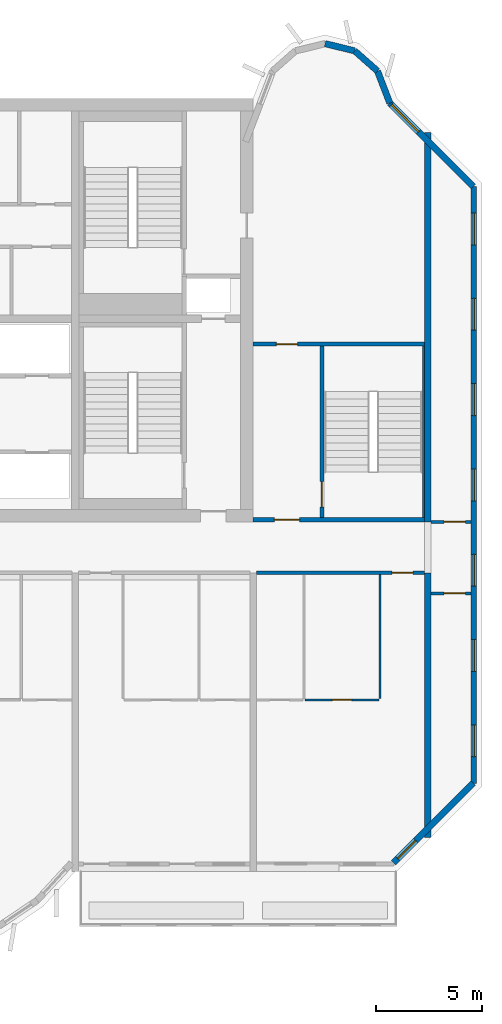
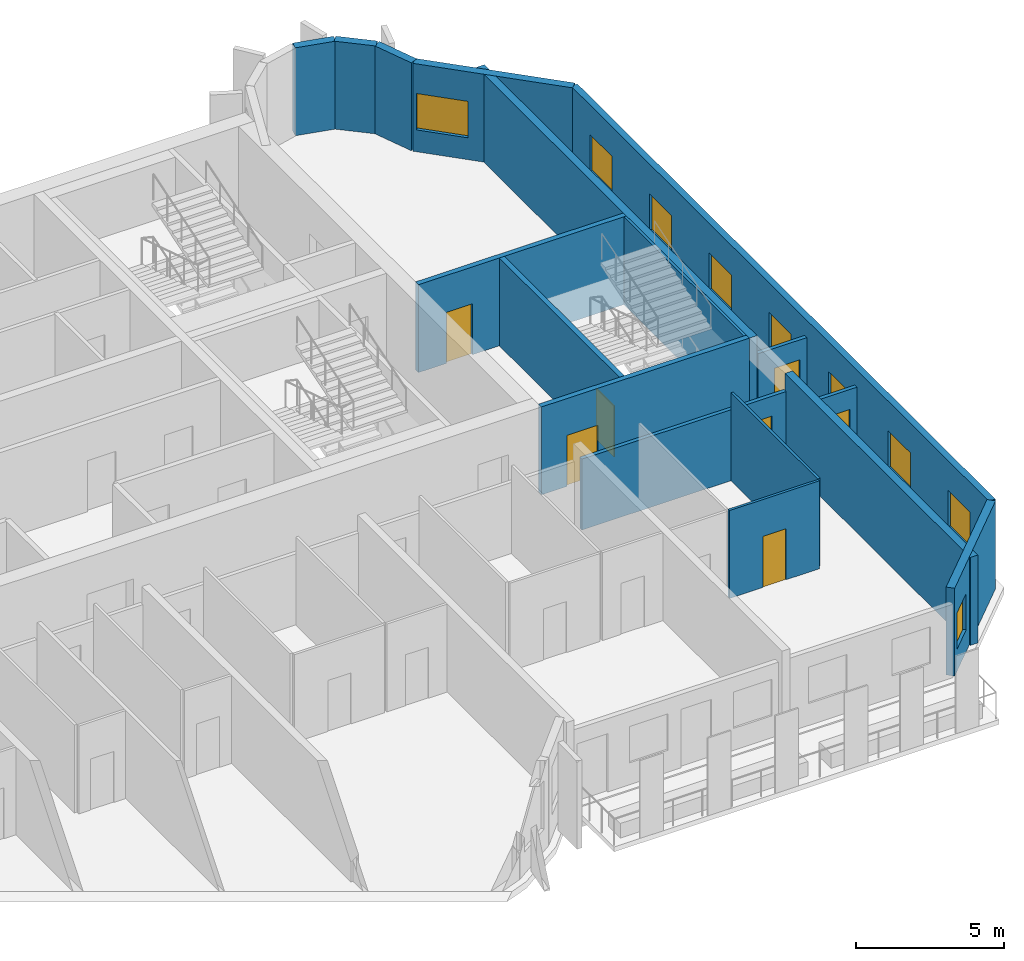
# One storey, part 8 of 11: 17 walls, 9 windows, 7 doors, 16 openings.
"""IFC4 building model written with IfcOpenShell, lengths in metres."""

from ifc_helpers import new_model, si_unit, direction, frame, frame_2d, origin, place, context, subcontext, project, spatial, rectangle, extrude, source, transform, mapped, material, layer, layer_set, type_object, element, fill, save


model = new_model("IFC4")

# Units and contexts
model_context = context("Model", 3, precision=1e-05, world=origin(), true_north=direction((0.0, 1.0)))
body_context = subcontext(model_context, "Body", "Model", "MODEL_VIEW")
ifc_project = project(units=[si_unit("LENGTHUNIT", "METRE"), si_unit("AREAUNIT", "SQUARE_METRE"), si_unit("VOLUMEUNIT", "CUBIC_METRE"), si_unit("PLANEANGLEUNIT", "RADIAN"), si_unit("MASSUNIT", "GRAM", prefix="KILO")], contexts=[model_context])

# Site, building, storey
site_placement = place(None, origin())
site = spatial("IfcSite", under=ifc_project, at=site_placement, CompositionType="ELEMENT")
building_placement = place(site_placement, origin())
building = spatial("IfcBuilding", under=site, at=building_placement, Name="Vanashikhar Sky Hotel", CompositionType="ELEMENT")
storey_placement = place(building_placement, frame((0.0, 0.0, 260.800048828125)))
storey = spatial("IfcBuildingStorey", under=building, at=storey_placement, Name="L63", CompositionType="ELEMENT", Elevation=260.800048828125)

# Walls
ifc_material_1 = material(Name="Concrete M60", Category="concrete")
ifc_layer_1 = layer(ifc_material_1, 0.300048828125)
ifc_layer_set_1 = layer_set([ifc_layer_1], Name="RC shear wall 300 Concrete M60")
wall_type_1 = type_object("IfcWallType", Name="RC shear wall 300 Concrete M60", PredefinedType="SHEAR", material=ifc_layer_set_1)
shared_shape_1 = source(origin(), body_context, "Body", "SweptSolid", [
    extrude(rectangle(XDim=12.5, YDim=0.300048828125, at=frame_2d((6.25, 0.0))), origin(), (0.0, 0.0, 1.0), 3.619873046875),
])
wall_1_placement = place(storey_placement, frame((83.85009765625, 7.10009765625, 0.0), z_axis=(0.0, 0.0, 1.0), x_axis=(0.0, 1.0, 0.0)))
element("IfcWall", 1, at=wall_1_placement, inside=storey, type_object=wall_type_1, Name="CW-L63-XW11-1", PredefinedType="SHEAR", context=body_context, shape_type="MappedRepresentation", body=[
    mapped(shared_shape_1, transform((0.0, 0.0, 0.0), scale=1.0)),
])
shared_shape_2 = source(origin(), body_context, "Body", "SweptSolid", [
    extrude(rectangle(XDim=18.39990234375, YDim=0.300048828125, at=frame_2d((9.199951171875, 0.0))), origin(), (0.0, 0.0, 1.0), 3.619873046875),
])
wall_2_placement = place(storey_placement, frame((83.85009765625, 22.0, 0.0), z_axis=(0.0, 0.0, 1.0), x_axis=(0.0, 1.0, 0.0)))
element("IfcWall", 2, at=wall_2_placement, inside=storey, type_object=wall_type_1, Name="CW-L63-XW11-2", PredefinedType="SHEAR", context=body_context, shape_type="MappedRepresentation", body=[
    mapped(shared_shape_2, transform((0.0, 0.0, 0.0), scale=1.0)),
])

# Wall, opening, window
ifc_material_2 = material(Name="Concrete M50", Category="concrete")
ifc_layer_2 = layer(ifc_material_2, 0.300048828125)
ifc_layer_set_2 = layer_set([ifc_layer_2], Name="Lobe wall 300")
wall_type_2 = type_object("IfcWallType", Name="Lobe wall 300", PredefinedType="SOLIDWALL", material=ifc_layer_set_2)
shared_shape_3 = source(origin(), body_context, "Body", "SweptSolid", [
    extrude(rectangle(XDim=5.32568359375, YDim=0.300048828125, at=frame_2d((2.662841796875, 0.0))), origin(), (0.0, 0.0, 1.0), 3.619873046875),
])
wall_3_placement = place(storey_placement, frame((82.234375, 5.89990234375, 0.0), z_axis=(0.0, 0.0, 1.0), x_axis=(0.707083859269, 0.707129702361, 0.0)))
wall_3 = element("IfcWall", 3, at=wall_3_placement, inside=storey, type_object=wall_type_2, Name="Corner wall", PredefinedType="SOLIDWALL", context=body_context, shape_type="MappedRepresentation", body=[
    mapped(shared_shape_3, transform((0.0, 0.0, 0.0), scale=1.0)),
])
shared_shape_4 = source(origin(), body_context, "Body", "SweptSolid", [
    extrude(rectangle(XDim=1.199951171875, YDim=1.5, at=frame_2d((0.60009765625, 0.75))), frame((0.0, 0.16015625, 0.0), z_axis=(0.0, -1.0, 0.0), x_axis=(1.0, 0.0, 0.0)), (0.0, 0.0, 1.0), 0.320068359375),
])
opening_1_placement = place(wall_3_placement, frame((0.29248046875, 0.0, 0.89990234375)))
opening_1 = element("IfcOpeningElement", 4, at=opening_1_placement, cuts=wall_3, Name="Opening WN-3", PredefinedType="OPENING", context=body_context, shape_type="MappedRepresentation", body=[
    mapped(shared_shape_4, transform((0.0, 0.0, 0.0), scale=1.0)),
])
ifc_material_3 = material(Name="Glass", Category="glass")
window_type_1 = type_object("IfcWindowType", Name="Corridor end window 1200 x 1500", PartitioningType="SINGLE_PANEL", PredefinedType="WINDOW", material=ifc_material_3)
shared_shape_5 = source(origin(), body_context, "Body", "SweptSolid", [
    extrude(rectangle(XDim=1.199951171875, YDim=1.5, at=frame_2d((0.60009765625, 0.75))), frame((0.0, 0.030029296875, 0.0), z_axis=(0.0, -1.0, 0.0), x_axis=(1.0, 0.0, 0.0)), (0.0, 0.0, 1.0), 0.06005859375),
])
window_1_placement = place(opening_1_placement, origin())
window_1 = element("IfcWindow", 5, at=window_1_placement, inside=storey, type_object=window_type_1, Name="Window WN-3", OverallHeight=1.5, OverallWidth=1.199951171875, PartitioningType="SINGLE_PANEL", PredefinedType="WINDOW", context=body_context, shape_type="MappedRepresentation", body=[
    mapped(shared_shape_5, transform((0.0, 0.0, 0.0), scale=1.0)),
])
fill(opening_1, window_1)

shared_shape_6 = source(origin(), body_context, "Body", "SweptSolid", [
    extrude(rectangle(XDim=5.576416015625, YDim=0.300048828125, at=frame_2d((2.7880859375, 0.0))), origin(), (0.0, 0.0, 1.0), 3.619873046875),
])
wall_4_placement = place(storey_placement, frame((86.0, 37.834228515625, 0.0), z_axis=(0.0, 0.0, 1.0), x_axis=(-0.707106781187, 0.707106781187, 0.0)))
wall_4 = element("IfcWall", 6, at=wall_4_placement, inside=storey, type_object=wall_type_2, Name="Corner wall", PredefinedType="SOLIDWALL", context=body_context, shape_type="MappedRepresentation", body=[
    mapped(shared_shape_6, transform((0.0, 0.0, 0.0), scale=1.0)),
])
shared_shape_7 = source(origin(), body_context, "Body", "SweptSolid", [
    extrude(rectangle(XDim=1.800048828125, YDim=1.5, at=frame_2d((0.89990234375, 0.75))), frame((0.0, 0.16015625, 0.0), z_axis=(0.0, -1.0, 0.0), x_axis=(1.0, 0.0, 0.0)), (0.0, 0.0, 1.0), 0.320068359375),
])
opening_2_placement = place(wall_4_placement, frame((3.658447265625, 0.0, 0.89990234375)))
opening_2 = element("IfcOpeningElement", 7, at=opening_2_placement, cuts=wall_4, Name="Opening WN-4", PredefinedType="OPENING", context=body_context, shape_type="MappedRepresentation", body=[
    mapped(shared_shape_7, transform((0.0, 0.0, 0.0), scale=1.0)),
])
window_type_2 = type_object("IfcWindowType", Name="Corner window 1800 x 1500", PartitioningType="SINGLE_PANEL", PredefinedType="WINDOW", material=ifc_material_3)
shared_shape_8 = source(origin(), body_context, "Body", "SweptSolid", [
    extrude(rectangle(XDim=1.800048828125, YDim=1.5, at=frame_2d((0.89990234375, 0.75))), frame((0.0, 0.030029296875, 0.0), z_axis=(0.0, -1.0, 0.0), x_axis=(1.0, 0.0, 0.0)), (0.0, 0.0, 1.0), 0.06005859375),
])
window_2_placement = place(opening_2_placement, origin())
window_2 = element("IfcWindow", 8, at=window_2_placement, inside=storey, type_object=window_type_2, Name="Window WN-4", OverallHeight=1.5, OverallWidth=1.800048828125, PartitioningType="SINGLE_PANEL", PredefinedType="WINDOW", context=body_context, shape_type="MappedRepresentation", body=[
    mapped(shared_shape_8, transform((0.0, 0.0, 0.0), scale=1.0)),
])
fill(opening_2, window_2)

# Walls
shared_shape_9 = source(origin(), body_context, "Body", "SweptSolid", [
    extrude(rectangle(XDim=1.438720703125, YDim=0.300048828125, at=frame_2d((0.71923828125, 0.0))), origin(), (0.0, 0.0, 1.0), 3.619873046875),
])
wall_5_placement = place(storey_placement, frame((80.397216796875, 44.2451171875, 0.0), z_axis=(0.0, 0.0, 1.0), x_axis=(-0.971161932466, 0.238420848351, 0.0)))
element("IfcWall", 9, at=wall_5_placement, inside=storey, type_object=wall_type_2, Name="Lobe wall", PredefinedType="SOLIDWALL", context=body_context, shape_type="MappedRepresentation", body=[
    mapped(shared_shape_9, transform((0.0, 0.0, 0.0), scale=1.0)),
])
shared_shape_10 = source(origin(), body_context, "Body", "SweptSolid", [
    extrude(rectangle(XDim=1.43994140625, YDim=0.300048828125, at=frame_2d((0.719970703125, 0.0))), origin(), (0.0, 0.0, 1.0), 3.619873046875),
])
wall_6_placement = place(storey_placement, frame((81.4765625, 43.2919921875, 0.0), z_axis=(0.0, 0.0, 1.0), x_axis=(-0.74957555648, 0.661918790432, 0.0)))
element("IfcWall", 10, at=wall_6_placement, inside=storey, type_object=wall_type_2, Name="Lobe wall", PredefinedType="SOLIDWALL", context=body_context, shape_type="MappedRepresentation", body=[
    mapped(shared_shape_10, transform((0.0, 0.0, 0.0), scale=1.0)),
])
shared_shape_11 = source(origin(), body_context, "Body", "SweptSolid", [
    extrude(rectangle(XDim=1.6220703125, YDim=0.300048828125, at=frame_2d((0.81103515625, 0.0))), origin(), (0.0, 0.0, 1.0), 3.619873046875),
])
wall_7_placement = place(storey_placement, frame((82.056884765625, 41.77734375, 0.0), z_axis=(0.0, 0.0, 1.0), x_axis=(-0.357778527068, 0.933806471154, 0.0)))
element("IfcWall", 11, at=wall_7_placement, inside=storey, type_object=wall_type_2, Name="Lobe wall", PredefinedType="SOLIDWALL", context=body_context, shape_type="MappedRepresentation", body=[
    mapped(shared_shape_11, transform((0.0, 0.0, 0.0), scale=1.0)),
])

# Wall, openings, windows
ifc_layer_3 = layer(ifc_material_2, 0.25)
ifc_layer_set_3 = layer_set([ifc_layer_3], Name="Rear and end board-marked wall 250")
wall_type_3 = type_object("IfcWallType", Name="Rear and end board-marked wall 250", PredefinedType="SOLIDWALL", material=ifc_layer_set_3)
shared_shape_12 = source(origin(), body_context, "Body", "SweptSolid", [
    extrude(rectangle(XDim=28.189453125, YDim=0.25, at=frame_2d((14.0947265625, 0.0))), origin(), (0.0, 0.0, 1.0), 3.619873046875),
])
wall_8_placement = place(storey_placement, frame((86.02490234375, 9.6552734375, 0.0), z_axis=(0.0, 0.0, 1.0), x_axis=(0.0, 1.0, 0.0)))
wall_8 = element("IfcWall", 12, at=wall_8_placement, inside=storey, type_object=wall_type_3, Name="End board-marked wall", PredefinedType="SOLIDWALL", context=body_context, shape_type="MappedRepresentation", body=[
    mapped(shared_shape_12, transform((0.0, 0.0, 0.0), scale=1.0)),
])
shared_shape_13 = source(origin(), body_context, "Body", "SweptSolid", [
    extrude(rectangle(XDim=1.5, YDim=1.5, at=frame_2d((0.75, 0.75))), frame((0.0, 0.135009765625, 0.0), z_axis=(0.0, -1.0, 0.0), x_axis=(1.0, 0.0, 0.0)), (0.0, 0.0, 1.0), 0.27001953125),
])
opening_3_placement = place(wall_8_placement, frame((1.263427734375, 0.0, 0.89990234375)))
opening_3 = element("IfcOpeningElement", 13, at=opening_3_placement, cuts=wall_8, Name="Opening WN-1", PredefinedType="OPENING", context=body_context, shape_type="MappedRepresentation", body=[
    mapped(shared_shape_13, transform((0.0, 0.0, 0.0), scale=1.0)),
])
opening_4_placement = place(wall_8_placement, frame((5.29052734375, 0.0, 0.89990234375)))
opening_4 = element("IfcOpeningElement", 14, at=opening_4_placement, cuts=wall_8, Name="Opening WN-1", PredefinedType="OPENING", context=body_context, shape_type="MappedRepresentation", body=[
    mapped(shared_shape_13, transform((0.0, 0.0, 0.0), scale=1.0)),
])
opening_5_placement = place(wall_8_placement, frame((9.317626953125, 0.0, 0.89990234375)))
opening_5 = element("IfcOpeningElement", 15, at=opening_5_placement, cuts=wall_8, Name="Opening WN-1", PredefinedType="OPENING", context=body_context, shape_type="MappedRepresentation", body=[
    mapped(shared_shape_13, transform((0.0, 0.0, 0.0), scale=1.0)),
])
opening_6_placement = place(wall_8_placement, frame((13.3447265625, 0.0, 0.89990234375)))
opening_6 = element("IfcOpeningElement", 16, at=opening_6_placement, cuts=wall_8, Name="Opening WN-1", PredefinedType="OPENING", context=body_context, shape_type="MappedRepresentation", body=[
    mapped(shared_shape_13, transform((0.0, 0.0, 0.0), scale=1.0)),
])
opening_7_placement = place(wall_8_placement, frame((17.371826171875, 0.0, 0.89990234375)))
opening_7 = element("IfcOpeningElement", 17, at=opening_7_placement, cuts=wall_8, Name="Opening WN-1", PredefinedType="OPENING", context=body_context, shape_type="MappedRepresentation", body=[
    mapped(shared_shape_13, transform((0.0, 0.0, 0.0), scale=1.0)),
])
opening_8_placement = place(wall_8_placement, frame((21.398681640625, 0.0, 0.89990234375)))
opening_8 = element("IfcOpeningElement", 18, at=opening_8_placement, cuts=wall_8, Name="Opening WN-1", PredefinedType="OPENING", context=body_context, shape_type="MappedRepresentation", body=[
    mapped(shared_shape_13, transform((0.0, 0.0, 0.0), scale=1.0)),
])
opening_9_placement = place(wall_8_placement, frame((25.42578125, 0.0, 0.89990234375)))
opening_9 = element("IfcOpeningElement", 19, at=opening_9_placement, cuts=wall_8, Name="Opening WN-1", PredefinedType="OPENING", context=body_context, shape_type="MappedRepresentation", body=[
    mapped(shared_shape_13, transform((0.0, 0.0, 0.0), scale=1.0)),
])
window_type_3 = type_object("IfcWindowType", Name="Window 1500 x 1500", PartitioningType="SINGLE_PANEL", PredefinedType="WINDOW", material=ifc_material_3)
shared_shape_14 = source(origin(), body_context, "Body", "SweptSolid", [
    extrude(rectangle(XDim=1.5, YDim=1.5, at=frame_2d((0.75, 0.75))), frame((0.0, 0.030029296875, 0.0), z_axis=(0.0, -1.0, 0.0), x_axis=(1.0, 0.0, 0.0)), (0.0, 0.0, 1.0), 0.06005859375),
])
window_3_placement = place(opening_3_placement, origin())
window_3 = element("IfcWindow", 20, at=window_3_placement, inside=storey, type_object=window_type_3, Name="Window WN-1", OverallHeight=1.5, OverallWidth=1.5, PartitioningType="SINGLE_PANEL", PredefinedType="WINDOW", context=body_context, shape_type="MappedRepresentation", body=[
    mapped(shared_shape_14, transform((0.0, 0.0, 0.0), scale=1.0)),
])
fill(opening_3, window_3)
window_4_placement = place(opening_4_placement, origin())
window_4 = element("IfcWindow", 21, at=window_4_placement, inside=storey, type_object=window_type_3, Name="Window WN-1", OverallHeight=1.5, OverallWidth=1.5, PartitioningType="SINGLE_PANEL", PredefinedType="WINDOW", context=body_context, shape_type="MappedRepresentation", body=[
    mapped(shared_shape_14, transform((0.0, 0.0, 0.0), scale=1.0)),
])
fill(opening_4, window_4)
window_5_placement = place(opening_5_placement, origin())
window_5 = element("IfcWindow", 22, at=window_5_placement, inside=storey, type_object=window_type_3, Name="Window WN-1", OverallHeight=1.5, OverallWidth=1.5, PartitioningType="SINGLE_PANEL", PredefinedType="WINDOW", context=body_context, shape_type="MappedRepresentation", body=[
    mapped(shared_shape_14, transform((0.0, 0.0, 0.0), scale=1.0)),
])
fill(opening_5, window_5)
window_6_placement = place(opening_6_placement, origin())
window_6 = element("IfcWindow", 23, at=window_6_placement, inside=storey, type_object=window_type_3, Name="Window WN-1", OverallHeight=1.5, OverallWidth=1.5, PartitioningType="SINGLE_PANEL", PredefinedType="WINDOW", context=body_context, shape_type="MappedRepresentation", body=[
    mapped(shared_shape_14, transform((0.0, 0.0, 0.0), scale=1.0)),
])
fill(opening_6, window_6)
window_7_placement = place(opening_7_placement, origin())
window_7 = element("IfcWindow", 24, at=window_7_placement, inside=storey, type_object=window_type_3, Name="Window WN-1", OverallHeight=1.5, OverallWidth=1.5, PartitioningType="SINGLE_PANEL", PredefinedType="WINDOW", context=body_context, shape_type="MappedRepresentation", body=[
    mapped(shared_shape_14, transform((0.0, 0.0, 0.0), scale=1.0)),
])
fill(opening_7, window_7)
window_8_placement = place(opening_8_placement, origin())
window_8 = element("IfcWindow", 25, at=window_8_placement, inside=storey, type_object=window_type_3, Name="Window WN-1", OverallHeight=1.5, OverallWidth=1.5, PartitioningType="SINGLE_PANEL", PredefinedType="WINDOW", context=body_context, shape_type="MappedRepresentation", body=[
    mapped(shared_shape_14, transform((0.0, 0.0, 0.0), scale=1.0)),
])
fill(opening_8, window_8)
window_9_placement = place(opening_9_placement, origin())
window_9 = element("IfcWindow", 26, at=window_9_placement, inside=storey, type_object=window_type_3, Name="Window WN-1", OverallHeight=1.5, OverallWidth=1.5, PartitioningType="SINGLE_PANEL", PredefinedType="WINDOW", context=body_context, shape_type="MappedRepresentation", body=[
    mapped(shared_shape_14, transform((0.0, 0.0, 0.0), scale=1.0)),
])
fill(opening_9, window_9)

# Wall, opening, door
ifc_layer_4 = layer(ifc_material_2, 0.199951171875)
ifc_layer_set_4 = layer_set([ifc_layer_4], Name="Stair wall 200")
wall_type_4 = type_object("IfcWallType", Name="Stair wall 200", PredefinedType="SOLIDWALL", material=ifc_layer_set_4)
shared_shape_15 = source(origin(), body_context, "Body", "SweptSolid", [
    extrude(rectangle(XDim=8.2998046875, YDim=0.199951171875, at=frame_2d((4.14990234375, 0.0))), origin(), (0.0, 0.0, 1.0), 3.619873046875),
])
wall_9_placement = place(storey_placement, frame((78.85009765625, 22.10009765625, 0.0), z_axis=(0.0, 0.0, 1.0), x_axis=(0.0, 1.0, 0.0)))
wall_9 = element("IfcWall", 27, at=wall_9_placement, inside=storey, type_object=wall_type_4, Name="Stair wall 200", PredefinedType="SOLIDWALL", context=body_context, shape_type="MappedRepresentation", body=[
    mapped(shared_shape_15, transform((0.0, 0.0, 0.0), scale=1.0)),
])
shared_shape_16 = source(origin(), body_context, "Body", "SweptSolid", [
    extrude(rectangle(XDim=1.199951171875, YDim=2.10009765625, at=frame_2d((0.60009765625, 1.050048828125))), frame((0.0, 0.10986328125, 0.0), z_axis=(0.0, -1.0, 0.0), x_axis=(1.0, 0.0, 0.0)), (0.0, 0.0, 1.0), 0.219970703125),
])
opening_10_placement = place(wall_9_placement, frame((0.60009765625, 0.0, 0.0)))
opening_10 = element("IfcOpeningElement", 28, at=opening_10_placement, cuts=wall_9, Name="Opening DC-1", PredefinedType="OPENING", context=body_context, shape_type="MappedRepresentation", body=[
    mapped(shared_shape_16, transform((0.0, 0.0, 0.0), scale=1.0)),
])
ifc_material_4 = material(Name="Steel", Category="steel")
door_type_1 = type_object("IfcDoorType", Name="Stair door 1200 FD120", OperationType="NOTDEFINED", PredefinedType="DOOR", material=ifc_material_4)
shared_shape_17 = source(origin(), body_context, "Body", "SweptSolid", [
    extrude(rectangle(XDim=1.199951171875, YDim=2.10009765625, at=frame_2d((0.60009765625, 1.050048828125))), frame((0.0, 0.02490234375, 0.0), z_axis=(0.0, -1.0, 0.0), x_axis=(1.0, 0.0, 0.0)), (0.0, 0.0, 1.0), 0.050048828125),
])
door_1_placement = place(opening_10_placement, origin())
door_1 = element("IfcDoor", 29, at=door_1_placement, inside=storey, type_object=door_type_1, Name="Stair door 1200 FD120", OperationType="SINGLE_SWING_RIGHT", OverallHeight=2.10009765625, OverallWidth=1.199951171875, PredefinedType="DOOR", context=body_context, shape_type="MappedRepresentation", body=[
    mapped(shared_shape_17, transform((0.0, 0.0, 0.0), scale=1.0)),
])
fill(opening_10, door_1)

shared_shape_18 = source(origin(), body_context, "Body", "SweptSolid", [
    extrude(rectangle(XDim=8.099853515625, YDim=0.199951171875, at=frame_2d((4.0498046875, 0.0))), origin(), (0.0, 0.0, 1.0), 3.619873046875),
])
wall_10_placement = place(storey_placement, frame((83.699951171875, 22.10009765625, 0.0), z_axis=(0.0, 0.0, 1.0), x_axis=(-1.0, 0.0, 0.0)))
wall_10 = element("IfcWall", 30, at=wall_10_placement, inside=storey, type_object=wall_type_4, Name="Stair wall 200", PredefinedType="SOLIDWALL", context=body_context, shape_type="MappedRepresentation", body=[
    mapped(shared_shape_18, transform((0.0, 0.0, 0.0), scale=1.0)),
])
opening_11_placement = place(wall_10_placement, frame((5.89990234375, 0.0, 0.0)))
opening_11 = element("IfcOpeningElement", 31, at=opening_11_placement, cuts=wall_10, Name="Opening DC-2", PredefinedType="OPENING", context=body_context, shape_type="MappedRepresentation", body=[
    mapped(shared_shape_16, transform((0.0, 0.0, 0.0), scale=1.0)),
])
door_type_2 = type_object("IfcDoorType", Name="Firefighting lobby door 1200 FD120", OperationType="NOTDEFINED", PredefinedType="DOOR", material=ifc_material_4)
door_2_placement = place(opening_11_placement, origin())
door_2 = element("IfcDoor", 32, at=door_2_placement, inside=storey, type_object=door_type_2, Name="Firefighting lobby door 1200 FD120", OperationType="SINGLE_SWING_LEFT", OverallHeight=2.10009765625, OverallWidth=1.199951171875, PredefinedType="DOOR", context=body_context, shape_type="MappedRepresentation", body=[
    mapped(shared_shape_17, transform((0.0, 0.0, 0.0), scale=1.0)),
])
fill(opening_11, door_2)

wall_11_placement = place(storey_placement, frame((83.699951171875, 30.39990234375, 0.0), z_axis=(0.0, 0.0, 1.0), x_axis=(-1.0, 0.0, 0.0)))
wall_11 = element("IfcWall", 33, at=wall_11_placement, inside=storey, type_object=wall_type_4, Name="Stair wall 200", PredefinedType="SOLIDWALL", context=body_context, shape_type="MappedRepresentation", body=[
    mapped(shared_shape_18, transform((0.0, 0.0, 0.0), scale=1.0)),
])
shared_shape_19 = source(origin(), body_context, "Body", "SweptSolid", [
    extrude(rectangle(XDim=1.0, YDim=2.10009765625, at=frame_2d((0.5, 1.050048828125))), frame((0.0, 0.10986328125, 0.0), z_axis=(0.0, -1.0, 0.0), x_axis=(1.0, 0.0, 0.0)), (0.0, 0.0, 1.0), 0.219970703125),
])
opening_12_placement = place(wall_11_placement, frame((6.0, 0.0, 0.0)))
opening_12 = element("IfcOpeningElement", 34, at=opening_12_placement, cuts=wall_11, Name="Opening DC-6", PredefinedType="OPENING", context=body_context, shape_type="MappedRepresentation", body=[
    mapped(shared_shape_19, transform((0.0, 0.0, 0.0), scale=1.0)),
])
door_type_3 = type_object("IfcDoorType", Name="Pocket door 1000 FD60", OperationType="NOTDEFINED", PredefinedType="DOOR", material=ifc_material_4)
shared_shape_20 = source(origin(), body_context, "Body", "SweptSolid", [
    extrude(rectangle(XDim=1.0, YDim=2.10009765625, at=frame_2d((0.5, 1.050048828125))), frame((0.0, 0.02490234375, 0.0), z_axis=(0.0, -1.0, 0.0), x_axis=(1.0, 0.0, 0.0)), (0.0, 0.0, 1.0), 0.050048828125),
])
door_3_placement = place(opening_12_placement, origin())
door_3 = element("IfcDoor", 35, at=door_3_placement, inside=storey, type_object=door_type_3, Name="Pocket door 1000 FD60", OperationType="SINGLE_SWING_LEFT", OverallHeight=2.10009765625, OverallWidth=1.0, PredefinedType="DOOR", context=body_context, shape_type="MappedRepresentation", body=[
    mapped(shared_shape_20, transform((0.0, 0.0, 0.0), scale=1.0)),
])
fill(opening_12, door_3)

# Wall
ifc_layer_5 = layer(ifc_material_2, 0.10009765625)
ifc_layer_set_5 = layer_set([ifc_layer_5], Name="Stair infill wall 100")
wall_type_5 = type_object("IfcWallType", Name="Stair infill wall 100", PredefinedType="SOLIDWALL", material=ifc_layer_set_5)
shared_shape_21 = source(origin(), body_context, "Body", "SweptSolid", [
    extrude(rectangle(XDim=8.10009765625, YDim=0.10009765625, at=frame_2d((4.050048828125, 0.0))), origin(), (0.0, 0.0, 1.0), 3.619873046875),
])
wall_12_placement = place(storey_placement, frame((83.64990234375, 22.199951171875, 0.0), z_axis=(0.0, 0.0, 1.0), x_axis=(0.0, 1.0, 0.0)))
element("IfcWall", 36, at=wall_12_placement, inside=storey, type_object=wall_type_5, Name="Stair infill wall 100", PredefinedType="SOLIDWALL", context=body_context, shape_type="MappedRepresentation", body=[
    mapped(shared_shape_21, transform((0.0, 0.0, 0.0), scale=1.0)),
])

# Wall, opening, door
ifc_material_5 = material(Name="Gypsum plasterboard partition")
ifc_layer_6 = layer(ifc_material_5, 0.14990234375)
ifc_layer_set_6 = layer_set([ifc_layer_6], Name="Corridor and demising partition 150")
wall_type_6 = type_object("IfcWallType", Name="Corridor and demising partition 150", PredefinedType="PARTITIONING", material=ifc_layer_set_6)
shared_shape_22 = source(origin(), body_context, "Body", "SweptSolid", [
    extrude(rectangle(XDim=7.949951171875, YDim=0.14990234375, at=frame_2d((3.97509765625, 0.0))), origin(), (0.0, 0.0, 1.0), 2.919921875),
])
wall_13_placement = place(storey_placement, frame((75.75, 19.60009765625, 0.0), z_axis=(0.0, 0.0, 1.0), x_axis=(1.0, 0.0, 0.0)))
wall_13 = element("IfcWall", 37, at=wall_13_placement, inside=storey, type_object=wall_type_6, Name="W-L63-PW046", PredefinedType="PARTITIONING", context=body_context, shape_type="MappedRepresentation", body=[
    mapped(shared_shape_22, transform((0.0, 0.0, 0.0), scale=1.0)),
])
shared_shape_23 = source(origin(), body_context, "Body", "SweptSolid", [
    extrude(rectangle(XDim=1.0, YDim=2.10009765625, at=frame_2d((0.5, 1.050048828125))), frame((0.0, 0.0849609375, 0.0), z_axis=(0.0, -1.0, 0.0), x_axis=(1.0, 0.0, 0.0)), (0.0, 0.0, 1.0), 0.169921875),
])
opening_13_placement = place(wall_13_placement, frame((6.39990234375, 0.0, 0.0)))
opening_13 = element("IfcOpeningElement", 38, at=opening_13_placement, cuts=wall_13, Name="Opening D-01", PredefinedType="OPENING", context=body_context, shape_type="MappedRepresentation", body=[
    mapped(shared_shape_23, transform((0.0, 0.0, 0.0), scale=1.0)),
])
ifc_material_6 = material(Name="Timber fire door", Category="wood")
door_type_4 = type_object("IfcDoorType", Name="Guest entry door 1000 FD30S", OperationType="NOTDEFINED", PredefinedType="DOOR", material=ifc_material_6)
door_4_placement = place(opening_13_placement, origin())
door_4 = element("IfcDoor", 39, at=door_4_placement, inside=storey, type_object=door_type_4, Name="D-L63-027", OperationType="SINGLE_SWING_RIGHT", OverallHeight=2.10009765625, OverallWidth=1.0, PredefinedType="DOOR", context=body_context, shape_type="MappedRepresentation", body=[
    mapped(shared_shape_20, transform((0.0, 0.0, 0.0), scale=1.0)),
])
fill(opening_13, door_4)

shared_shape_24 = source(origin(), body_context, "Body", "SweptSolid", [
    extrude(rectangle(XDim=1.89990234375, YDim=0.14990234375, at=frame_2d((0.949951171875, 0.0))), origin(), (0.0, 0.0, 1.0), 2.919921875),
])
wall_14_placement = place(storey_placement, frame((84.0, 22.0, 0.0), z_axis=(0.0, 0.0, 1.0), x_axis=(1.0, 0.0, 0.0)))
wall_14 = element("IfcWall", 40, at=wall_14_placement, inside=storey, type_object=wall_type_6, Name="W-L63-PW050", PredefinedType="PARTITIONING", context=body_context, shape_type="MappedRepresentation", body=[
    mapped(shared_shape_24, transform((0.0, 0.0, 0.0), scale=1.0)),
])
opening_14_placement = place(wall_14_placement, frame((0.625, 0.0, 0.0)))
opening_14 = element("IfcOpeningElement", 41, at=opening_14_placement, cuts=wall_14, Name="Opening D-01", PredefinedType="OPENING", context=body_context, shape_type="MappedRepresentation", body=[
    mapped(shared_shape_23, transform((0.0, 0.0, 0.0), scale=1.0)),
])
door_5_placement = place(opening_14_placement, origin())
door_5 = element("IfcDoor", 42, at=door_5_placement, inside=storey, type_object=door_type_4, Name="D-L63-029", OperationType="SINGLE_SWING_RIGHT", OverallHeight=2.10009765625, OverallWidth=1.0, PredefinedType="DOOR", context=body_context, shape_type="MappedRepresentation", body=[
    mapped(shared_shape_20, transform((0.0, 0.0, 0.0), scale=1.0)),
])
fill(opening_14, door_5)

wall_15_placement = place(storey_placement, frame((84.0, 18.6279296875, 0.0), z_axis=(0.0, 0.0, 1.0), x_axis=(1.0, 0.0, 0.0)))
wall_15 = element("IfcWall", 43, at=wall_15_placement, inside=storey, type_object=wall_type_6, Name="W-L63-PW052", PredefinedType="PARTITIONING", context=body_context, shape_type="MappedRepresentation", body=[
    mapped(shared_shape_24, transform((0.0, 0.0, 0.0), scale=1.0)),
])
opening_15_placement = place(wall_15_placement, frame((0.625, 0.0, 0.0)))
opening_15 = element("IfcOpeningElement", 44, at=opening_15_placement, cuts=wall_15, Name="Opening D-01", PredefinedType="OPENING", context=body_context, shape_type="MappedRepresentation", body=[
    mapped(shared_shape_23, transform((0.0, 0.0, 0.0), scale=1.0)),
])
door_6_placement = place(opening_15_placement, origin())
door_6 = element("IfcDoor", 45, at=door_6_placement, inside=storey, type_object=door_type_4, Name="D-L63-031", OperationType="SINGLE_SWING_RIGHT", OverallHeight=2.10009765625, OverallWidth=1.0, PredefinedType="DOOR", context=body_context, shape_type="MappedRepresentation", body=[
    mapped(shared_shape_20, transform((0.0, 0.0, 0.0), scale=1.0)),
])
fill(opening_15, door_6)

ifc_layer_7 = layer(ifc_material_5, 0.10009765625)
ifc_layer_set_7 = layer_set([ifc_layer_7], Name="Wet room partition 100")
wall_type_7 = type_object("IfcWallType", Name="Wet room partition 100", PredefinedType="PARTITIONING", material=ifc_layer_set_7)
shared_shape_25 = source(origin(), body_context, "Body", "SweptSolid", [
    extrude(rectangle(XDim=3.5, YDim=0.10009765625, at=frame_2d((1.75, 0.0))), origin(), (0.0, 0.0, 1.0), 3.619873046875),
])
wall_16_placement = place(storey_placement, frame((78.050048828125, 13.60009765625, 0.0), z_axis=(0.0, 0.0, 1.0), x_axis=(1.0, 0.0, 0.0)))
wall_16 = element("IfcWall", 46, at=wall_16_placement, inside=storey, type_object=wall_type_7, Name="W-L63-PW044", PredefinedType="PARTITIONING", context=body_context, shape_type="MappedRepresentation", body=[
    mapped(shared_shape_25, transform((0.0, 0.0, 0.0), scale=1.0)),
])
shared_shape_26 = source(origin(), body_context, "Body", "SweptSolid", [
    extrude(rectangle(XDim=0.89990234375, YDim=2.10009765625, at=frame_2d((0.449951171875, 1.050048828125))), frame((0.0, 0.06005859375, 0.0), z_axis=(0.0, -1.0, 0.0), x_axis=(1.0, 0.0, 0.0)), (0.0, 0.0, 1.0), 0.1201171875),
])
opening_16_placement = place(wall_16_placement, frame((1.300048828125, 0.0, 0.0)))
opening_16 = element("IfcOpeningElement", 47, at=opening_16_placement, cuts=wall_16, Name="Opening D-02", PredefinedType="OPENING", context=body_context, shape_type="MappedRepresentation", body=[
    mapped(shared_shape_26, transform((0.0, 0.0, 0.0), scale=1.0)),
])
ifc_material_7 = material(Name="Timber door", Category="wood")
door_type_5 = type_object("IfcDoorType", Name="Internal door 900", OperationType="NOTDEFINED", PredefinedType="DOOR", material=ifc_material_7)
shared_shape_27 = source(origin(), body_context, "Body", "SweptSolid", [
    extrude(rectangle(XDim=0.89990234375, YDim=2.10009765625, at=frame_2d((0.449951171875, 1.050048828125))), frame((0.0, 0.02490234375, 0.0), z_axis=(0.0, -1.0, 0.0), x_axis=(1.0, 0.0, 0.0)), (0.0, 0.0, 1.0), 0.050048828125),
])
door_7_placement = place(opening_16_placement, origin())
door_7 = element("IfcDoor", 48, at=door_7_placement, inside=storey, type_object=door_type_5, Name="D-L63-025", OperationType="SINGLE_SWING_RIGHT", OverallHeight=2.10009765625, OverallWidth=0.89990234375, PredefinedType="DOOR", context=body_context, shape_type="MappedRepresentation", body=[
    mapped(shared_shape_27, transform((0.0, 0.0, 0.0), scale=1.0)),
])
fill(opening_16, door_7)

# Wall
shared_shape_28 = source(origin(), body_context, "Body", "SweptSolid", [
    extrude(rectangle(XDim=5.849853515625, YDim=0.10009765625, at=frame_2d((2.9248046875, 0.0))), origin(), (0.0, 0.0, 1.0), 3.619873046875),
])
wall_17_placement = place(storey_placement, frame((81.60009765625, 13.675048828125, 0.0), z_axis=(0.0, 0.0, 1.0), x_axis=(0.0, 1.0, 0.0)))
element("IfcWall", 49, at=wall_17_placement, inside=storey, type_object=wall_type_7, Name="W-L63-PW042", PredefinedType="PARTITIONING", context=body_context, shape_type="MappedRepresentation", body=[
    mapped(shared_shape_28, transform((0.0, 0.0, 0.0), scale=1.0)),
])

save(model, "model.ifc")
